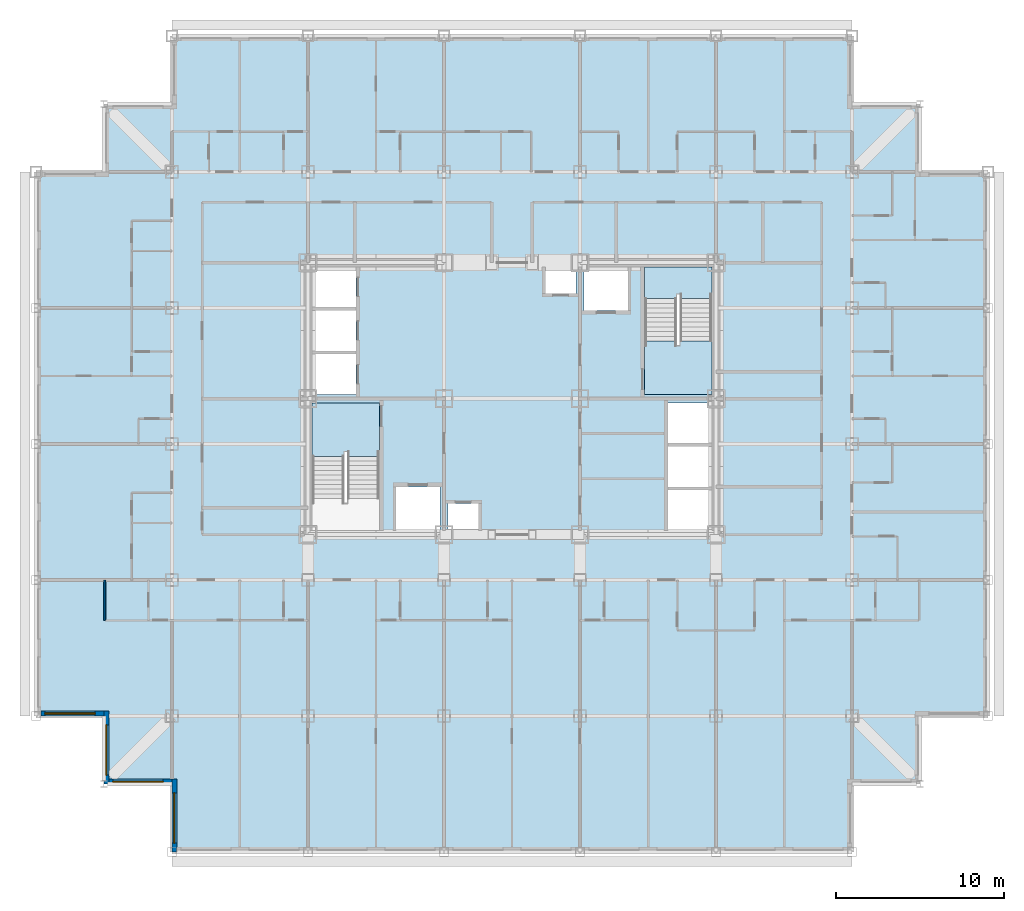
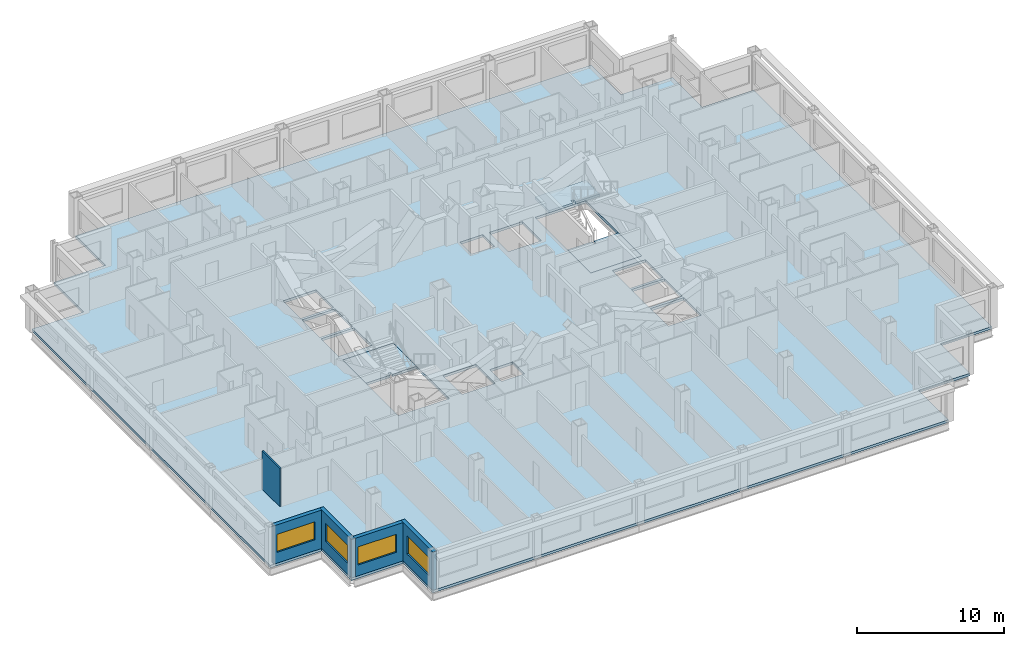
# One storey, part 3 of 13: 5 walls, 4 slabs, 4 windows, 4 openings, 2 elements without a shape of their own.
"""IFC4 building model written with IfcOpenShell, lengths in metres."""

from ifc_helpers import new_model, si_unit, direction, frame, frame_2d, origin, place, context, subcontext, project, spatial, polyline, rectangle, outline, extrude, material, layer, layer_set, type_object, element, fill, aggregate, save


model = new_model("IFC4")

# Units and contexts
model_context = context("Model", 3, precision=1e-05, world=origin(), true_north=direction((0.0, 1.0)))
body_context = subcontext(model_context, "Body", "Model", "MODEL_VIEW")
ifc_project = project(units=[si_unit("LENGTHUNIT", "METRE"), si_unit("AREAUNIT", "SQUARE_METRE"), si_unit("VOLUMEUNIT", "CUBIC_METRE"), si_unit("PLANEANGLEUNIT", "RADIAN"), si_unit("MASSUNIT", "GRAM", prefix="KILO")], contexts=[model_context])

# Site, building, storey
site_placement = place(None, origin())
site = spatial("IfcSite", under=ifc_project, at=site_placement, CompositionType="ELEMENT")
building_placement = place(site_placement, origin())
building = spatial("IfcBuilding", under=site, at=building_placement, Name="Kopane Lantern Tower", CompositionType="ELEMENT")
storey_placement = place(building_placement, frame((0.0, 0.0, 130.60009765625)))
storey = spatial("IfcBuildingStorey", under=building, at=storey_placement, Name="L33", CompositionType="ELEMENT", Elevation=130.60009765625)

# Slab
ifc_material_1 = material(Name="Concrete C40/50", Category="concrete")
ifc_layer_1 = layer(ifc_material_1, 0.2099609375)
ifc_layer_set_1 = layer_set([ifc_layer_1], Name="SLAB 210 COMPOSITE")
slab_type_1 = type_object("IfcSlabType", Name="SLAB 210 COMPOSITE", PredefinedType="FLOOR", material=ifc_layer_set_1)
slab_1_placement = place(storey_placement, frame((0.0, 0.0, -0.210205078125)))
element("IfcSlab", 1, at=slab_1_placement, inside=storey, type_object=slab_type_1, Name="Floor slab L33", PredefinedType="FLOOR", context=body_context, shape_type="SweptSolid", body=[
    extrude(outline(polyline([(8.10009765625, 5.39990234375), (48.60009765625, 5.39990234375), (48.60009765625, 9.449951171875), (52.64990234375, 9.449951171875), (52.64990234375, 13.5), (56.699951171875, 13.5), (56.699951171875, 45.89990234375), (52.64990234375, 45.89990234375), (52.64990234375, 49.949951171875), (48.60009765625, 49.949951171875), (48.60009765625, 54.0), (8.10009765625, 54.0), (8.10009765625, 49.949951171875), (4.050048828125, 49.949951171875), (4.050048828125, 45.89990234375), (0.0, 45.89990234375), (0.0, 13.5), (4.050048828125, 13.5), (4.050048828125, 9.449951171875), (8.10009765625, 9.449951171875), (8.10009765625, 5.39990234375)]), holes=[polyline([(16.449951171875, 24.550048828125), (20.449951171875, 24.550048828125), (20.449951171875, 32.14990234375), (16.449951171875, 32.14990234375), (16.449951171875, 24.550048828125)]), polyline([(36.25, 32.64990234375), (40.25, 32.64990234375), (40.25, 40.25), (36.25, 40.25), (36.25, 32.64990234375)]), polyline([(16.449951171875, 32.64990234375), (19.050048828125, 32.64990234375), (19.050048828125, 35.050048828125), (16.449951171875, 35.050048828125), (16.449951171875, 32.64990234375)]), polyline([(16.449951171875, 35.25), (19.050048828125, 35.25), (19.050048828125, 37.64990234375), (16.449951171875, 37.64990234375), (16.449951171875, 35.25)]), polyline([(16.449951171875, 37.85009765625), (19.050048828125, 37.85009765625), (19.050048828125, 40.25), (16.449951171875, 40.25), (16.449951171875, 37.85009765625)]), polyline([(37.64990234375, 24.550048828125), (40.25, 24.550048828125), (40.25, 26.949951171875), (37.64990234375, 26.949951171875), (37.64990234375, 24.550048828125)]), polyline([(37.64990234375, 27.14990234375), (40.25, 27.14990234375), (40.25, 29.550048828125), (37.64990234375, 29.550048828125), (37.64990234375, 27.14990234375)]), polyline([(37.64990234375, 29.75), (40.25, 29.75), (40.25, 32.14990234375), (37.64990234375, 32.14990234375), (37.64990234375, 29.75)]), polyline([(21.449951171875, 24.550048828125), (24.050048828125, 24.550048828125), (24.050048828125, 27.14990234375), (21.449951171875, 27.14990234375), (21.449951171875, 24.550048828125)]), polyline([(32.64990234375, 37.64990234375), (35.25, 37.64990234375), (35.25, 40.25), (32.64990234375, 40.25), (32.64990234375, 37.64990234375)]), polyline([(24.550048828125, 24.550048828125), (26.35009765625, 24.550048828125), (26.35009765625, 26.14990234375), (24.550048828125, 26.14990234375), (24.550048828125, 24.550048828125)]), polyline([(30.35009765625, 38.64990234375), (32.14990234375, 38.64990234375), (32.14990234375, 40.25), (30.35009765625, 40.25), (30.35009765625, 38.64990234375)])]), origin(), (0.0, 0.0, 1.0), 0.210205078125),
])

# Stair, slab
ifc_material_2 = material(Name="Steel S355JR", Category="steel")
stair_type = type_object("IfcStairType", Name="EXIT STAIR 1900 HALF TURN", PredefinedType="HALF_TURN_STAIR", material=ifc_material_2)
stair_1_placement = place(storey_placement, origin())
stair_1 = element("IfcStair", 2, at=stair_1_placement, inside=storey, type_object=stair_type, Name="Exit stair ST1 L33", PredefinedType="HALF_TURN_STAIR")
ifc_material_3 = material(Name="Concrete C40/50", Category="concrete")
ifc_layer_2 = layer(ifc_material_3, 0.199951171875)
ifc_layer_set_2 = layer_set([ifc_layer_2], Name="STAIR LANDING 200")
slab_type_2 = type_object("IfcSlabType", Name="STAIR LANDING 200", PredefinedType="LANDING", material=ifc_layer_set_2)
slab_2_placement = place(storey_placement, frame((0.0, 0.0, -0.2001953125)))
slab_2 = element("IfcSlab", 3, at=slab_2_placement, type_object=slab_type_2, Name="ST1 landing 1", PredefinedType="LANDING", context=body_context, shape_type="SweptSolid", body=[
    extrude(outline(polyline([(18.35009765625, 29.25), (18.550048828125, 29.25), (18.550048828125, 28.969970703125), (20.449951171875, 28.969970703125), (20.449951171875, 32.14990234375), (16.449951171875, 32.14990234375), (16.449951171875, 28.969970703125), (18.35009765625, 28.969970703125), (18.35009765625, 29.25)])), origin(), (0.0, 0.0, 1.0), 0.2001953125),
])
aggregate(stair_1, [slab_2])

# Stair, slabs
stair_2_placement = place(storey_placement, origin())
stair_2 = element("IfcStair", 4, at=stair_2_placement, inside=storey, type_object=stair_type, Name="Exit stair ST2 L33", PredefinedType="HALF_TURN_STAIR")
slab_3_placement = place(storey_placement, frame((0.0, 0.0, -0.2001953125)))
slab_3 = element("IfcSlab", 5, at=slab_3_placement, type_object=slab_type_2, Name="ST2 landing 1", PredefinedType="LANDING", context=body_context, shape_type="SweptSolid", body=[
    extrude(outline(polyline([(40.25, 35.830078125), (38.35009765625, 35.830078125), (38.35009765625, 35.550048828125), (38.14990234375, 35.550048828125), (38.14990234375, 35.830078125), (36.25, 35.830078125), (36.25, 32.64990234375), (40.25, 32.64990234375), (40.25, 35.830078125)])), origin(), (0.0, 0.0, 1.0), 0.2001953125),
])
slab_4_placement = place(storey_placement, frame((0.0, 0.0, 1.5)))
slab_4 = element("IfcSlab", 6, at=slab_4_placement, type_object=slab_type_2, Name="ST2 landing 2", PredefinedType="LANDING", context=body_context, shape_type="SweptSolid", body=[
    extrude(outline(polyline([(38.14990234375, 38.6298828125), (38.35009765625, 38.6298828125), (38.35009765625, 38.35009765625), (40.25, 38.35009765625), (40.25, 40.25), (36.25, 40.25), (36.25, 38.35009765625), (38.14990234375, 38.35009765625), (38.14990234375, 38.6298828125)])), origin(), (0.0, 0.0, 1.0), 0.199951171875),
])
aggregate(stair_2, [slab_3, slab_4])

# Wall
ifc_material_4 = material(Name="Moisture-resistant board on steel studs", Category="steel")
ifc_layer_3 = layer(ifc_material_4, 0.10009765625)
ifc_layer_set_3 = layer_set([ifc_layer_3], Name="BATHROOM WALL 100")
wall_type_1 = type_object("IfcWallType", Name="BATHROOM WALL 100", PredefinedType="PARTITIONING", material=ifc_layer_set_3)
wall_1_placement = place(storey_placement, frame((4.10009765625, 21.60009765625, 0.0), z_axis=(0.0, 0.0, 1.0), x_axis=(0.0, -1.0, 0.0)))
element("IfcWall", 7, at=wall_1_placement, inside=storey, type_object=wall_type_1, Name="Bathroom Wall 100 L33", PredefinedType="PARTITIONING", context=body_context, shape_type="SweptSolid", body=[
    extrude(rectangle(XDim=2.400146484375, YDim=0.10009765625, at=frame_2d((1.2001953125, 0.0))), origin(), (0.0, 0.0, 1.0), 3.18994140625),
])

# Wall, opening, window
ifc_material_5 = material(Name="Terracotta rainscreen on light steel framing", Category="masonry")
ifc_layer_4 = layer(ifc_material_5, 0.300048828125)
ifc_layer_set_4 = layer_set([ifc_layer_4], Name="EXTERNAL WALL EW1 300 TERRACOTTA")
wall_type_2 = type_object("IfcWallType", Name="EXTERNAL WALL EW1 300 TERRACOTTA", PredefinedType="SOLIDWALL", material=ifc_layer_set_4)
wall_2_placement = place(storey_placement, frame((0.300048828125, 13.64990234375, 0.0), z_axis=(0.0, 0.0, 1.0), x_axis=(1.0, 0.0, 0.0)))
wall_2 = element("IfcWall", 8, at=wall_2_placement, inside=storey, type_object=wall_type_2, Name="External wall S L33", PredefinedType="SOLIDWALL", context=body_context, shape_type="SweptSolid", body=[
    extrude(rectangle(XDim=3.75, YDim=0.300048828125, at=frame_2d((1.875, 0.0))), origin(), (0.0, 0.0, 1.0), 3.18994140625),
])
opening_1_placement = place(wall_2_placement, frame((0.22509765625, 0.0, 0.89990234375)))
opening_1 = element("IfcOpeningElement", 9, at=opening_1_placement, cuts=wall_2, Name="Opening WR300150", PredefinedType="OPENING", context=body_context, shape_type="SweptSolid", body=[
    extrude(rectangle(XDim=3.0, YDim=1.5, at=frame_2d((1.5, 0.75))), frame((0.0, 0.159912109375, 0.0), z_axis=(0.0, -1.0, 0.0), x_axis=(1.0, 0.0, 0.0)), (0.0, 0.0, 1.0), 0.320068359375),
])
ifc_material_6 = material(Name="Aluminium and clear glass", Category="aluminium")
window_type = type_object("IfcWindowType", Name="RIBBON WINDOW WR300150 3000x1500", PartitioningType="SINGLE_PANEL", PredefinedType="WINDOW", material=ifc_material_6)
window_1_placement = place(opening_1_placement, origin())
window_1 = element("IfcWindow", 10, at=window_1_placement, inside=storey, type_object=window_type, Name="Window S L33", OverallHeight=1.5, OverallWidth=3.0, PartitioningType="SINGLE_PANEL", PredefinedType="WINDOW", context=body_context, shape_type="SweptSolid", body=[
    extrude(rectangle(XDim=3.0, YDim=1.5, at=frame_2d((1.5, 0.75))), frame((0.0, 0.030029296875, 0.0), z_axis=(0.0, -1.0, 0.0), x_axis=(1.0, 0.0, 0.0)), (0.0, 0.0, 1.0), 0.06005859375),
])
fill(opening_1, window_1)

wall_3_placement = place(storey_placement, frame((4.199951171875, 13.800048828125, 0.0), z_axis=(0.0, 0.0, 1.0), x_axis=(0.0, -1.0, 0.0)))
wall_3 = element("IfcWall", 11, at=wall_3_placement, inside=storey, type_object=wall_type_2, Name="External wall W L33", PredefinedType="SOLIDWALL", context=body_context, shape_type="SweptSolid", body=[
    extrude(rectangle(XDim=4.35009765625, YDim=0.300048828125, at=frame_2d((2.175048828125, 0.0))), origin(), (0.0, 0.0, 1.0), 3.18994140625),
])
opening_2_placement = place(wall_3_placement, frame((0.824951171875, 0.0, 0.89990234375)))
opening_2 = element("IfcOpeningElement", 12, at=opening_2_placement, cuts=wall_3, Name="Opening WR300150", PredefinedType="OPENING", context=body_context, shape_type="SweptSolid", body=[
    extrude(rectangle(XDim=3.0, YDim=1.5, at=frame_2d((1.5, 0.75))), frame((0.0, 0.159912109375, 0.0), z_axis=(0.0, -1.0, 0.0), x_axis=(1.0, 0.0, 0.0)), (0.0, 0.0, 1.0), 0.320068359375),
])
window_2_placement = place(opening_2_placement, origin())
window_2 = element("IfcWindow", 13, at=window_2_placement, inside=storey, type_object=window_type, Name="Window W L33", OverallHeight=1.5, OverallWidth=3.0, PartitioningType="SINGLE_PANEL", PredefinedType="WINDOW", context=body_context, shape_type="SweptSolid", body=[
    extrude(rectangle(XDim=3.0, YDim=1.5, at=frame_2d((1.5, 0.75))), frame((0.0, 0.030029296875, 0.0), z_axis=(0.0, -1.0, 0.0), x_axis=(1.0, 0.0, 0.0)), (0.0, 0.0, 1.0), 0.06005859375),
])
fill(opening_2, window_2)

wall_4_placement = place(storey_placement, frame((4.35009765625, 9.60009765625, 0.0), z_axis=(0.0, 0.0, 1.0), x_axis=(1.0, 0.0, 0.0)))
wall_4 = element("IfcWall", 14, at=wall_4_placement, inside=storey, type_object=wall_type_2, Name="External wall S L33", PredefinedType="SOLIDWALL", context=body_context, shape_type="SweptSolid", body=[
    extrude(rectangle(XDim=3.75, YDim=0.300048828125, at=frame_2d((1.875, 0.0))), origin(), (0.0, 0.0, 1.0), 3.18994140625),
])
opening_3_placement = place(wall_4_placement, frame((0.22509765625, 0.0, 0.89990234375)))
opening_3 = element("IfcOpeningElement", 15, at=opening_3_placement, cuts=wall_4, Name="Opening WR300150", PredefinedType="OPENING", context=body_context, shape_type="SweptSolid", body=[
    extrude(rectangle(XDim=3.0, YDim=1.5, at=frame_2d((1.5, 0.75))), frame((0.0, 0.159912109375, 0.0), z_axis=(0.0, -1.0, 0.0), x_axis=(1.0, 0.0, 0.0)), (0.0, 0.0, 1.0), 0.320068359375),
])
window_3_placement = place(opening_3_placement, origin())
window_3 = element("IfcWindow", 16, at=window_3_placement, inside=storey, type_object=window_type, Name="Window S L33", OverallHeight=1.5, OverallWidth=3.0, PartitioningType="SINGLE_PANEL", PredefinedType="WINDOW", context=body_context, shape_type="SweptSolid", body=[
    extrude(rectangle(XDim=3.0, YDim=1.5, at=frame_2d((1.5, 0.75))), frame((0.0, 0.030029296875, 0.0), z_axis=(0.0, -1.0, 0.0), x_axis=(1.0, 0.0, 0.0)), (0.0, 0.0, 1.0), 0.06005859375),
])
fill(opening_3, window_3)

wall_5_placement = place(storey_placement, frame((8.25, 9.75, 0.0), z_axis=(0.0, 0.0, 1.0), x_axis=(0.0, -1.0, 0.0)))
wall_5 = element("IfcWall", 17, at=wall_5_placement, inside=storey, type_object=wall_type_2, Name="External wall W L33", PredefinedType="SOLIDWALL", context=body_context, shape_type="SweptSolid", body=[
    extrude(rectangle(XDim=4.35009765625, YDim=0.300048828125, at=frame_2d((2.175048828125, 0.0))), origin(), (0.0, 0.0, 1.0), 3.18994140625),
])
opening_4_placement = place(wall_5_placement, frame((0.824951171875, 0.0, 0.89990234375)))
opening_4 = element("IfcOpeningElement", 18, at=opening_4_placement, cuts=wall_5, Name="Opening WR300150", PredefinedType="OPENING", context=body_context, shape_type="SweptSolid", body=[
    extrude(rectangle(XDim=3.0, YDim=1.5, at=frame_2d((1.5, 0.75))), frame((0.0, 0.159912109375, 0.0), z_axis=(0.0, -1.0, 0.0), x_axis=(1.0, 0.0, 0.0)), (0.0, 0.0, 1.0), 0.320068359375),
])
window_4_placement = place(opening_4_placement, origin())
window_4 = element("IfcWindow", 19, at=window_4_placement, inside=storey, type_object=window_type, Name="Window W L33", OverallHeight=1.5, OverallWidth=3.0, PartitioningType="SINGLE_PANEL", PredefinedType="WINDOW", context=body_context, shape_type="SweptSolid", body=[
    extrude(rectangle(XDim=3.0, YDim=1.5, at=frame_2d((1.5, 0.75))), frame((0.0, 0.030029296875, 0.0), z_axis=(0.0, -1.0, 0.0), x_axis=(1.0, 0.0, 0.0)), (0.0, 0.0, 1.0), 0.06005859375),
])
fill(opening_4, window_4)

save(model, "model.ifc")
